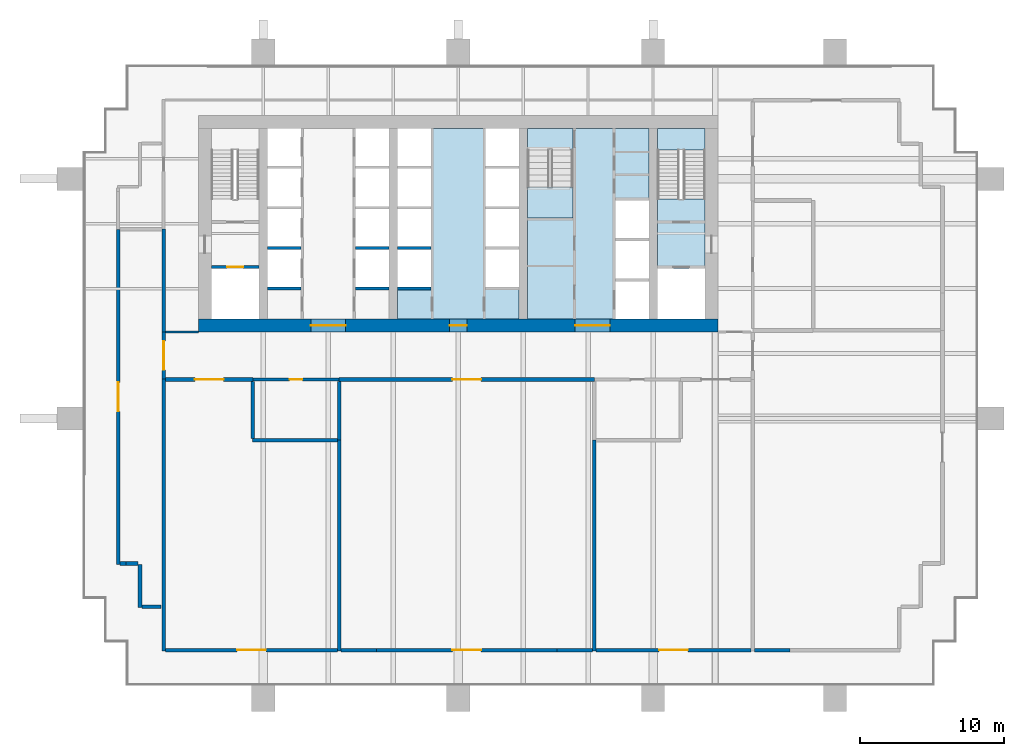
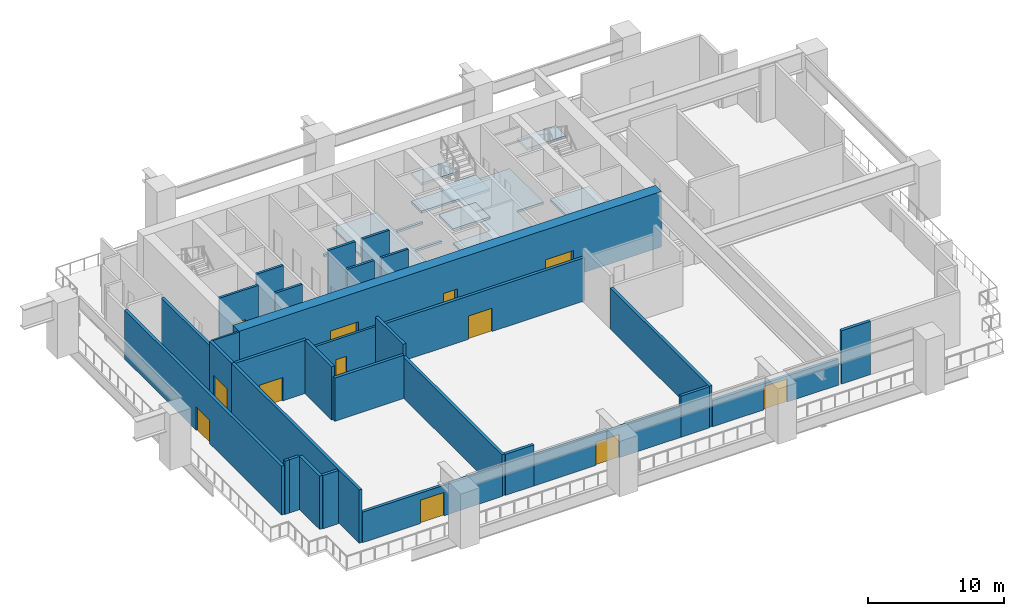
# One storey, part 2 of 9: 31 walls, 12 doors, 7 slabs, 12 openings, 2 elements without a shape of their own.
"""IFC4 building model written with IfcOpenShell, lengths in metres."""

from ifc_helpers import new_model, si_unit, direction, frame, frame_2d, origin, place, context, subcontext, project, spatial, polyline, rectangle, outline, extrude, material, layer, layer_set, type_object, element, fill, aggregate, save


model = new_model("IFC4")

# Units and contexts
model_context = context("Model", 3, precision=1e-05, world=origin(), true_north=direction((0.0, 1.0)))
body_context = subcontext(model_context, "Body", "Model", "MODEL_VIEW")
ifc_project = project(units=[si_unit("LENGTHUNIT", "METRE"), si_unit("AREAUNIT", "SQUARE_METRE"), si_unit("VOLUMEUNIT", "CUBIC_METRE"), si_unit("PLANEANGLEUNIT", "RADIAN"), si_unit("MASSUNIT", "GRAM", prefix="KILO")], contexts=[model_context])

# Site, building, storey
site_placement = place(None, origin())
site = spatial("IfcSite", under=ifc_project, at=site_placement, CompositionType="ELEMENT")
building_placement = place(site_placement, origin())
building = spatial("IfcBuilding", under=site, at=building_placement, Name="Rattan Terrace Tower", CompositionType="ELEMENT")
storey_placement = place(building_placement, frame((0.0, 0.0, 115.699951171875)))
storey = spatial("IfcBuildingStorey", under=building, at=storey_placement, Name="L26", CompositionType="ELEMENT", Elevation=115.699951171875)

# Stair, slab
ifc_material_1 = material(Name="Concrete C40/50", Category="concrete")
stair_type = type_object("IfcStairType", Name="Core exit stair 1500", PredefinedType="HALF_TURN_STAIR", material=ifc_material_1)
stair_1_placement = place(storey_placement, origin())
stair_1 = element("IfcStair", 1, at=stair_1_placement, inside=storey, type_object=stair_type, Name="L26 exit stair 2", PredefinedType="HALF_TURN_STAIR")
ifc_material_2 = material(Name="Concrete C40/50", Category="concrete")
ifc_layer_1 = layer(ifc_material_2, 0.199951171875)
ifc_layer_set_1 = layer_set([ifc_layer_1], Name="Core exit stair landing")
slab_type_1 = type_object("IfcSlabType", Name="Core exit stair landing", PredefinedType="LANDING", material=ifc_layer_set_1)
slab_1_placement = place(storey_placement, frame((0.0, 0.0, 2.300048828125)))
slab_1 = element("IfcSlab", 2, at=slab_1_placement, type_object=slab_type_1, Name="S2 landing 1", PredefinedType="LANDING", context=body_context, shape_type="SweptSolid", body=[
    extrude(outline(polyline([(17.10009765625, 5.080078125), (17.10009765625, 6.60009765625), (13.800048828125, 6.60009765625), (13.800048828125, 5.080078125), (17.10009765625, 5.080078125)])), origin(), (0.0, 0.0, 1.0), 0.199951171875),
])
aggregate(stair_1, [slab_1])

# Stair, slabs
stair_2_placement = place(storey_placement, origin())
stair_2 = element("IfcStair", 3, at=stair_2_placement, inside=storey, type_object=stair_type, Name="L26 exit stair 3", PredefinedType="HALF_TURN_STAIR")
slab_2_placement = place(storey_placement, frame((0.0, 0.0, 1.050048828125)))
slab_2 = element("IfcSlab", 4, at=slab_2_placement, type_object=slab_type_1, Name="S3 landing 1", PredefinedType="LANDING", context=body_context, shape_type="SweptSolid", body=[
    extrude(outline(polyline([(4.800048828125, 2.52001953125), (4.800048828125, 0.39990234375), (7.949951171875, 0.39990234375), (7.949951171875, 2.52001953125), (4.800048828125, 2.52001953125)])), origin(), (0.0, 0.0, 1.0), 0.199951171875),
])
slab_3_placement = place(storey_placement, frame((0.0, 0.0, 2.300048828125)))
slab_3 = element("IfcSlab", 5, at=slab_3_placement, type_object=slab_type_1, Name="S3 landing 2", PredefinedType="LANDING", context=body_context, shape_type="SweptSolid", body=[
    extrude(outline(polyline([(4.800048828125, 6.60009765625), (4.800048828125, 5.10009765625), (7.949951171875, 5.10009765625), (7.949951171875, 6.60009765625), (4.800048828125, 6.60009765625)])), origin(), (0.0, 0.0, 1.0), 0.199951171875),
])
slab_4_placement = place(storey_placement, frame((0.0, 0.0, 3.550048828125)))
slab_4 = element("IfcSlab", 6, at=slab_4_placement, type_object=slab_type_1, Name="S3 landing 3", PredefinedType="LANDING", context=body_context, shape_type="SweptSolid", body=[
    extrude(outline(polyline([(4.800048828125, 2.52001953125), (4.800048828125, 0.39990234375), (7.949951171875, 0.39990234375), (7.949951171875, 2.52001953125), (4.800048828125, 2.52001953125)])), origin(), (0.0, 0.0, 1.0), 0.199951171875),
])
aggregate(stair_2, [slab_2, slab_3, slab_4])

# Slabs
ifc_material_3 = material(Name="Concrete C35/45", Category="concrete")
ifc_layer_2 = layer(ifc_material_3, 0.199951171875)
ifc_layer_set_2 = layer_set([ifc_layer_2], Name="Frame refuge floor slab 200")
slab_type_2 = type_object("IfcSlabType", Name="Frame refuge floor slab 200", PredefinedType="FLOOR", material=ifc_layer_set_2)
slab_5_placement = place(storey_placement, frame((0.0, 0.0, -0.199951171875)))
element("IfcSlab", 7, at=slab_5_placement, inside=storey, type_object=slab_type_2, Name="Floor slab", PredefinedType="FLOOR", context=body_context, shape_type="SweptSolid", body=[
    extrude(outline(polyline([(-4.199951171875, 4.0), (-4.199951171875, 3.800048828125), (-1.89990234375, 3.800048828125), (-1.89990234375, 1.199951171875), (-4.199951171875, 1.199951171875), (-4.199951171875, 1.0), (-1.89990234375, 1.0), (-1.89990234375, -1.60009765625), (-4.199951171875, -1.60009765625), (-4.199951171875, -1.800048828125), (-1.89990234375, -1.800048828125), (-1.89990234375, -4.39990234375), (-4.199951171875, -4.39990234375), (-4.199951171875, -6.60009765625), (4.199951171875, -6.60009765625), (4.199951171875, -4.39990234375), (1.89990234375, -4.39990234375), (1.89990234375, -1.800048828125), (4.199951171875, -1.800048828125), (4.199951171875, -1.60009765625), (1.89990234375, -1.60009765625), (1.89990234375, 1.0), (4.199951171875, 1.0), (4.199951171875, 1.199951171875), (1.89990234375, 1.199951171875), (1.89990234375, 3.800048828125), (4.199951171875, 3.800048828125), (4.199951171875, 4.0), (1.89990234375, 4.0), (1.89990234375, 6.60009765625), (-1.89990234375, 6.60009765625), (-1.89990234375, 4.0), (-4.199951171875, 4.0)])), origin(), (0.0, 0.0, 1.0), 0.199951171875),
])
slab_6_placement = place(storey_placement, frame((0.0, 0.0, -0.199951171875)))
element("IfcSlab", 8, at=slab_6_placement, inside=storey, type_object=slab_type_2, Name="Floor slab", PredefinedType="FLOOR", context=body_context, shape_type="SweptSolid", body=[
    extrude(outline(polyline([(4.800048828125, 5.090087890625), (7.949951171875, 5.090087890625), (7.949951171875, 0.39990234375), (4.800048828125, 0.39990234375), (4.800048828125, -6.60009765625), (10.89990234375, -6.60009765625), (10.89990234375, -4.0), (13.199951171875, -4.0), (13.199951171875, -3.800048828125), (10.89990234375, -3.800048828125), (10.89990234375, -1.199951171875), (13.199951171875, -1.199951171875), (13.199951171875, -1.0), (10.89990234375, -1.0), (10.89990234375, 1.60009765625), (13.199951171875, 1.60009765625), (13.199951171875, 6.60009765625), (4.800048828125, 6.60009765625), (4.800048828125, 5.090087890625)])), origin(), (0.0, 0.0, 1.0), 0.199951171875),
])
slab_7_placement = place(storey_placement, frame((0.0, 0.0, -0.199951171875)))
element("IfcSlab", 9, at=slab_7_placement, inside=storey, type_object=slab_type_2, Name="Floor slab", PredefinedType="FLOOR", context=body_context, shape_type="SweptSolid", body=[
    extrude(outline(polyline([(13.800048828125, -3.10009765625), (17.10009765625, -3.10009765625), (17.10009765625, 1.7099609375), (13.800048828125, 1.7099609375), (13.800048828125, -3.10009765625)])), origin(), (0.0, 0.0, 1.0), 0.199951171875),
])

# Wall, opening, door
ifc_material_4 = material(Name="Gypsum board partition")
ifc_layer_3 = layer(ifc_material_4, 0.199951171875)
ifc_layer_set_3 = layer_set([ifc_layer_3], Name="Core partition 200")
wall_type_1 = type_object("IfcWallType", Name="Core partition 200", PredefinedType="PARTITIONING", material=ifc_layer_set_3)
wall_1_placement = place(storey_placement, frame((-17.10009765625, -3.0, 0.0), z_axis=(0.0, 0.0, 1.0), x_axis=(1.0, 0.0, 0.0)))
wall_1 = element("IfcWall", 10, at=wall_1_placement, inside=storey, type_object=wall_type_1, Name="Fire-fighting lobby wall", PredefinedType="PARTITIONING", context=body_context, shape_type="SweptSolid", body=[
    extrude(rectangle(XDim=3.300048828125, YDim=0.199951171875, at=frame_2d((1.64990234375, 0.0))), origin(), (0.0, 0.0, 1.0), 4.800048828125),
])
opening_1_placement = place(wall_1_placement, frame((1.10009765625, 0.0, 0.0)))
opening_1 = element("IfcOpeningElement", 11, at=opening_1_placement, cuts=wall_1, Name="Opening L26-LD-FF1", PredefinedType="OPENING", context=body_context, shape_type="SweptSolid", body=[
    extrude(rectangle(XDim=1.10009765625, YDim=2.10009765625, at=frame_2d((0.550048828125, 1.050048828125))), frame((0.0, 0.110595703125, 0.0), z_axis=(0.0, -1.0, 0.0), x_axis=(1.0, 0.0, 0.0)), (0.0, 0.0, 1.0), 0.220947265625),
])
ifc_material_5 = material(Name="Brushed stainless landing door panel")
door_type_1 = type_object("IfcDoorType", Name="Core lift landing door 1100", OperationType="DOUBLE_DOOR_SLIDING", PredefinedType="DOOR", material=ifc_material_5)
door_1_placement = place(opening_1_placement, origin())
door_1 = element("IfcDoor", 12, at=door_1_placement, inside=storey, type_object=door_type_1, Name="Door L26-LD-FF1", OperationType="DOUBLE_DOOR_SLIDING", OverallHeight=2.10009765625, OverallWidth=1.10009765625, PredefinedType="DOOR", context=body_context, shape_type="SweptSolid", body=[
    extrude(rectangle(XDim=1.10009765625, YDim=2.10009765625, at=frame_2d((0.550048828125, 1.050048828125))), frame((0.0, 0.02490234375, 0.0), z_axis=(0.0, -1.0, 0.0), x_axis=(1.0, 0.0, 0.0)), (0.0, 0.0, 1.0), 0.050048828125),
])
fill(opening_1, door_1)

# Wall, openings, doors
ifc_material_6 = material(Name="Concrete C70/85", Category="concrete")
ifc_layer_4 = layer(ifc_material_6, 0.89990234375)
ifc_layer_set_4 = layer_set([ifc_layer_4], Name="Core ring wall 900 C70/85")
wall_type_2 = type_object("IfcWallType", Name="Core ring wall 900 C70/85", PredefinedType="SHEAR", material=ifc_layer_set_4)
wall_2_placement = place(storey_placement, frame((-18.0, -7.050048828125, -0.199951171875), z_axis=(0.0, 0.0, 1.0), x_axis=(1.0, 0.0, 0.0)))
wall_2 = element("IfcWall", 13, at=wall_2_placement, inside=storey, type_object=wall_type_2, Name="Rear core wall south", PredefinedType="SHEAR", context=body_context, shape_type="SweptSolid", body=[
    extrude(rectangle(XDim=36.0, YDim=0.89990234375, at=frame_2d((18.0, 0.0))), origin(), (0.0, 0.0, 1.0), 5.0),
])
opening_2_placement = place(wall_2_placement, frame((7.800048828125, 0.0, 0.199951171875)))
opening_2 = element("IfcOpeningElement", 14, at=opening_2_placement, cuts=wall_2, Name="Opening L26-D007", PredefinedType="OPENING", context=body_context, shape_type="SweptSolid", body=[
    extrude(rectangle(XDim=2.39990234375, YDim=2.10009765625, at=frame_2d((1.199951171875, 1.050048828125))), frame((0.0, 0.46044921875, 0.0), z_axis=(0.0, -1.0, 0.0), x_axis=(1.0, 0.0, 0.0)), (0.0, 0.0, 1.0), 0.9208984375),
])
opening_3_placement = place(wall_2_placement, frame((17.39990234375, 0.0, 0.199951171875)))
opening_3 = element("IfcOpeningElement", 15, at=opening_3_placement, cuts=wall_2, Name="Opening L26-D010", PredefinedType="OPENING", context=body_context, shape_type="SweptSolid", body=[
    extrude(rectangle(XDim=1.199951171875, YDim=2.10009765625, at=frame_2d((0.60009765625, 1.050048828125))), frame((0.0, 0.46044921875, 0.0), z_axis=(0.0, -1.0, 0.0), x_axis=(1.0, 0.0, 0.0)), (0.0, 0.0, 1.0), 0.9208984375),
])
opening_4_placement = place(wall_2_placement, frame((26.10009765625, 0.0, 0.199951171875)))
opening_4 = element("IfcOpeningElement", 16, at=opening_4_placement, cuts=wall_2, Name="Opening L26-D014", PredefinedType="OPENING", context=body_context, shape_type="SweptSolid", body=[
    extrude(rectangle(XDim=2.39990234375, YDim=2.10009765625, at=frame_2d((1.199951171875, 1.050048828125))), frame((0.0, 0.46044921875, 0.0), z_axis=(0.0, -1.0, 0.0), x_axis=(1.0, 0.0, 0.0)), (0.0, 0.0, 1.0), 0.9208984375),
])
ifc_material_7 = material(Name="Hollow-metal fire door leaf")
door_type_2 = type_object("IfcDoorType", Name="Core lift lobby door 2400", OperationType="NOTDEFINED", PredefinedType="DOOR", material=ifc_material_7)
door_2_placement = place(opening_2_placement, origin())
door_2 = element("IfcDoor", 17, at=door_2_placement, inside=storey, type_object=door_type_2, Name="Door L26-D007", OperationType="DOUBLE_DOOR_DOUBLE_SWING", OverallHeight=2.10009765625, OverallWidth=2.39990234375, PredefinedType="DOOR", context=body_context, shape_type="SweptSolid", body=[
    extrude(rectangle(XDim=2.39990234375, YDim=2.10009765625, at=frame_2d((1.199951171875, 1.050048828125))), frame((0.0, 0.02490234375, 0.0), z_axis=(0.0, -1.0, 0.0), x_axis=(1.0, 0.0, 0.0)), (0.0, 0.0, 1.0), 0.050048828125),
])
fill(opening_2, door_2)
door_3_placement = place(opening_4_placement, origin())
door_3 = element("IfcDoor", 18, at=door_3_placement, inside=storey, type_object=door_type_2, Name="Door L26-D014", OperationType="DOUBLE_DOOR_DOUBLE_SWING", OverallHeight=2.10009765625, OverallWidth=2.39990234375, PredefinedType="DOOR", context=body_context, shape_type="SweptSolid", body=[
    extrude(rectangle(XDim=2.39990234375, YDim=2.10009765625, at=frame_2d((1.199951171875, 1.050048828125))), frame((0.0, 0.02490234375, 0.0), z_axis=(0.0, -1.0, 0.0), x_axis=(1.0, 0.0, 0.0)), (0.0, 0.0, 1.0), 0.050048828125),
])
fill(opening_4, door_3)
ifc_material_8 = material(Name="Hollow-metal fire door leaf")
door_type_3 = type_object("IfcDoorType", Name="Core riser door 1200", OperationType="NOTDEFINED", PredefinedType="DOOR", material=ifc_material_8)
door_4_placement = place(opening_3_placement, origin())
door_4 = element("IfcDoor", 19, at=door_4_placement, inside=storey, type_object=door_type_3, Name="Door L26-D010", OperationType="SINGLE_SWING_RIGHT", OverallHeight=2.10009765625, OverallWidth=1.199951171875, PredefinedType="DOOR", context=body_context, shape_type="SweptSolid", body=[
    extrude(rectangle(XDim=1.199951171875, YDim=2.10009765625, at=frame_2d((0.60009765625, 1.050048828125))), frame((0.0, 0.02490234375, 0.0), z_axis=(0.0, -1.0, 0.0), x_axis=(1.0, 0.0, 0.0)), (0.0, 0.0, 1.0), 0.050048828125),
])
fill(opening_3, door_4)

# Wall, opening, door
ifc_material_9 = material(Name="Concrete block wall, plastered", Category="concrete")
ifc_layer_5 = layer(ifc_material_9, 0.199951171875)
ifc_layer_set_5 = layer_set([ifc_layer_5], Name="Floors Plant Wall 200")
wall_type_3 = type_object("IfcWallType", Name="Floors Plant Wall 200", PredefinedType="PARTITIONING", material=ifc_layer_set_5)
wall_3_placement = place(storey_placement, frame((-8.2548828125, -10.799072265625, 0.0), z_axis=(0.0, 0.0, 1.0), x_axis=(-1.0, 0.0, 0.0)))
wall_3 = element("IfcWall", 20, at=wall_3_placement, inside=storey, type_object=wall_type_3, Name="pt-L26-004", PredefinedType="PARTITIONING", context=body_context, shape_type="SweptSolid", body=[
    extrude(rectangle(XDim=5.960205078125, YDim=0.199951171875, at=frame_2d((2.97998046875, 0.0))), origin(), (0.0, 0.0, 1.0), 3.900146484375),
])
opening_5_placement = place(wall_3_placement, frame((2.530029296875, 0.0, 0.0)))
opening_5 = element("IfcOpeningElement", 21, at=opening_5_placement, cuts=wall_3, Name="Opening L26-D104", PredefinedType="OPENING", context=body_context, shape_type="SweptSolid", body=[
    extrude(rectangle(XDim=0.89990234375, YDim=2.10009765625, at=frame_2d((0.449951171875, 1.050048828125))), frame((0.0, 0.110595703125, 0.0), z_axis=(0.0, -1.0, 0.0), x_axis=(1.0, 0.0, 0.0)), (0.0, 0.0, 1.0), 0.220947265625),
])
ifc_material_10 = material(Name="Steel fire door set", Category="steel")
door_type_4 = type_object("IfcDoorType", Name="Floors Fire Door FD60 900x2100", OperationType="NOTDEFINED", PredefinedType="DOOR", material=ifc_material_10)
door_5_placement = place(opening_5_placement, origin())
door_5 = element("IfcDoor", 22, at=door_5_placement, inside=storey, type_object=door_type_4, Name="d-L26-104", OperationType="SINGLE_SWING_LEFT", OverallHeight=2.10009765625, OverallWidth=0.89990234375, PredefinedType="DOOR", context=body_context, shape_type="SweptSolid", body=[
    extrude(rectangle(XDim=0.89990234375, YDim=2.10009765625, at=frame_2d((0.449951171875, 1.050048828125))), frame((0.0, 0.02490234375, 0.0), z_axis=(0.0, -1.0, 0.0), x_axis=(1.0, 0.0, 0.0)), (0.0, 0.0, 1.0), 0.050048828125),
])
fill(opening_5, door_5)

ifc_material_11 = material(Name="Reinforced concrete wall, painted", Category="concrete")
ifc_layer_6 = layer(ifc_material_11, 0.25)
ifc_layer_set_6 = layer_set([ifc_layer_6], Name="Floors Refuge Wall 250")
wall_type_4 = type_object("IfcWallType", Name="Floors Refuge Wall 250", PredefinedType="PARTITIONING", material=ifc_layer_set_6)
wall_4_placement = place(storey_placement, frame((-20.40087890625, -10.780029296875, 0.0), z_axis=(0.0, 0.0, 1.0), x_axis=(0.0, 1.0, 0.0)))
wall_4 = element("IfcWall", 23, at=wall_4_placement, inside=storey, type_object=wall_type_4, Name="pt-L26-003", PredefinedType="PARTITIONING", context=body_context, shape_type="SweptSolid", body=[
    extrude(rectangle(XDim=3.280029296875, YDim=0.25, at=frame_2d((1.64013671875, 0.0))), origin(), (0.0, 0.0, 1.0), 4.800048828125),
])
opening_6_placement = place(wall_4_placement, frame((0.639892578125, 0.0, 0.0)))
opening_6 = element("IfcOpeningElement", 24, at=opening_6_placement, cuts=wall_4, Name="Opening L26-D102", PredefinedType="OPENING", context=body_context, shape_type="SweptSolid", body=[
    extrude(rectangle(XDim=2.0, YDim=2.10009765625, at=frame_2d((1.0, 1.050048828125))), frame((0.0, 0.135498046875, 0.0), z_axis=(0.0, -1.0, 0.0), x_axis=(1.0, 0.0, 0.0)), (0.0, 0.0, 1.0), 0.27099609375),
])
ifc_material_12 = material(Name="Steel fire door set", Category="steel")
door_type_5 = type_object("IfcDoorType", Name="Floors Plant Equipment Door Pair FD120 2000x2100", OperationType="NOTDEFINED", PredefinedType="DOOR", material=ifc_material_12)
door_6_placement = place(opening_6_placement, origin())
door_6 = element("IfcDoor", 25, at=door_6_placement, inside=storey, type_object=door_type_5, Name="d-L26-102", OperationType="DOUBLE_DOOR_SINGLE_SWING", OverallHeight=2.10009765625, OverallWidth=2.0, PredefinedType="DOOR", context=body_context, shape_type="SweptSolid", body=[
    extrude(rectangle(XDim=2.0, YDim=2.10009765625, at=frame_2d((1.0, 1.050048828125))), frame((0.0, 0.02490234375, 0.0), z_axis=(0.0, -1.0, 0.0), x_axis=(1.0, 0.0, 0.0)), (0.0, 0.0, 1.0), 0.050048828125),
])
fill(opening_6, door_6)

wall_5_placement = place(storey_placement, frame((-14.215087890625, -10.799072265625, 0.0), z_axis=(0.0, 0.0, 1.0), x_axis=(-1.0, 0.0, 0.0)))
wall_5 = element("IfcWall", 26, at=wall_5_placement, inside=storey, type_object=wall_type_4, Name="pt-L26-005", PredefinedType="PARTITIONING", context=body_context, shape_type="SweptSolid", body=[
    extrude(rectangle(XDim=6.059814453125, YDim=0.25, at=frame_2d((3.02978515625, 0.0))), origin(), (0.0, 0.0, 1.0), 4.800048828125),
])
opening_7_placement = place(wall_5_placement, frame((2.030029296875, 0.0, 0.0)))
opening_7 = element("IfcOpeningElement", 27, at=opening_7_placement, cuts=wall_5, Name="Opening L26-D105", PredefinedType="OPENING", context=body_context, shape_type="SweptSolid", body=[
    extrude(rectangle(XDim=2.0, YDim=2.10009765625, at=frame_2d((1.0, 1.050048828125))), frame((0.0, 0.135498046875, 0.0), z_axis=(0.0, -1.0, 0.0), x_axis=(1.0, 0.0, 0.0)), (0.0, 0.0, 1.0), 0.27099609375),
])
door_7_placement = place(opening_7_placement, origin())
door_7 = element("IfcDoor", 28, at=door_7_placement, inside=storey, type_object=door_type_5, Name="d-L26-105", OperationType="DOUBLE_DOOR_SINGLE_SWING", OverallHeight=2.10009765625, OverallWidth=2.0, PredefinedType="DOOR", context=body_context, shape_type="SweptSolid", body=[
    extrude(rectangle(XDim=2.0, YDim=2.10009765625, at=frame_2d((1.0, 1.050048828125))), frame((0.0, 0.02490234375, 0.0), z_axis=(0.0, -1.0, 0.0), x_axis=(1.0, 0.0, 0.0)), (0.0, 0.0, 1.0), 0.050048828125),
])
fill(opening_7, door_7)

wall_6_placement = place(storey_placement, frame((9.431884765625, -10.800048828125, 0.0), z_axis=(0.0, 0.0, 1.0), x_axis=(-1.0, 0.0, 0.0)))
wall_6 = element("IfcWall", 29, at=wall_6_placement, inside=storey, type_object=wall_type_4, Name="pt-L26-006", PredefinedType="PARTITIONING", context=body_context, shape_type="SweptSolid", body=[
    extrude(rectangle(XDim=17.686767578125, YDim=0.25, at=frame_2d((8.84326171875, 0.0))), origin(), (0.0, 0.0, 1.0), 3.900146484375),
])
opening_8_placement = place(wall_6_placement, frame((7.843994140625, 0.0, 0.0)))
opening_8 = element("IfcOpeningElement", 30, at=opening_8_placement, cuts=wall_6, Name="Opening L26-D107", PredefinedType="OPENING", context=body_context, shape_type="SweptSolid", body=[
    extrude(rectangle(XDim=2.0, YDim=2.10009765625, at=frame_2d((1.0, 1.050048828125))), frame((0.0, 0.135498046875, 0.0), z_axis=(0.0, -1.0, 0.0), x_axis=(1.0, 0.0, 0.0)), (0.0, 0.0, 1.0), 0.27099609375),
])
door_8_placement = place(opening_8_placement, origin())
door_8 = element("IfcDoor", 31, at=door_8_placement, inside=storey, type_object=door_type_5, Name="d-L26-107", OperationType="DOUBLE_DOOR_SINGLE_SWING", OverallHeight=2.10009765625, OverallWidth=2.0, PredefinedType="DOOR", context=body_context, shape_type="SweptSolid", body=[
    extrude(rectangle(XDim=2.0, YDim=2.10009765625, at=frame_2d((1.0, 1.050048828125))), frame((0.0, 0.02490234375, 0.0), z_axis=(0.0, -1.0, 0.0), x_axis=(1.0, 0.0, 0.0)), (0.0, 0.0, 1.0), 0.050048828125),
])
fill(opening_8, door_8)

# Walls
wall_7_placement = place(storey_placement, frame((-20.39990234375, -7.5, 0.0), z_axis=(0.0, 0.0, 1.0), x_axis=(0.0, 1.0, 0.0)))
element("IfcWall", 32, at=wall_7_placement, inside=storey, type_object=wall_type_4, Name="pt-L26-011", PredefinedType="PARTITIONING", context=body_context, shape_type="SweptSolid", body=[
    extrude(rectangle(XDim=7.1201171875, YDim=0.25, at=frame_2d((3.56005859375, 0.0))), origin(), (0.0, 0.0, 1.0), 4.400146484375),
])
wall_8_placement = place(storey_placement, frame((-20.39990234375, -10.780029296875, 0.0), z_axis=(0.0, 0.0, 1.0), x_axis=(0.0, -1.0, 0.0)))
element("IfcWall", 33, at=wall_8_placement, inside=storey, type_object=wall_type_4, Name="pt-L26-021", PredefinedType="PARTITIONING", context=body_context, shape_type="SweptSolid", body=[
    extrude(rectangle(XDim=18.820068359375, YDim=0.25, at=frame_2d((9.41015625, 0.0))), origin(), (0.0, 0.0, 1.0), 4.800048828125),
])
wall_9_placement = place(storey_placement, frame((-22.1640625, -23.5380859375, 0.0), z_axis=(0.0, 0.0, 1.0), x_axis=(-1.0, 0.0, 0.0)))
element("IfcWall", 34, at=wall_9_placement, inside=storey, type_object=wall_type_4, Name="pt-L26-022", PredefinedType="PARTITIONING", context=body_context, shape_type="SweptSolid", body=[
    extrude(rectangle(XDim=0.85595703125, YDim=0.25, at=frame_2d((0.427978515625, 0.0))), origin(), (0.0, 0.0, 1.0), 4.800048828125),
])
wall_10_placement = place(storey_placement, frame((-22.0390625, -26.60009765625, 0.0), z_axis=(0.0, 0.0, 1.0), x_axis=(0.0, 1.0, 0.0)))
element("IfcWall", 35, at=wall_10_placement, inside=storey, type_object=wall_type_4, Name="pt-L26-023", PredefinedType="PARTITIONING", context=body_context, shape_type="SweptSolid", body=[
    extrude(rectangle(XDim=3.0, YDim=0.25, at=frame_2d((1.5, 0.0))), origin(), (0.0, 0.0, 1.0), 4.800048828125),
])
wall_11_placement = place(storey_placement, frame((-20.60009765625, -26.5390625, 0.0), z_axis=(0.0, 0.0, 1.0), x_axis=(-1.0, 0.0, 0.0)))
element("IfcWall", 36, at=wall_11_placement, inside=storey, type_object=wall_type_4, Name="pt-L26-024", PredefinedType="PARTITIONING", context=body_context, shape_type="SweptSolid", body=[
    extrude(rectangle(XDim=1.31396484375, YDim=0.25, at=frame_2d((0.656982421875, 0.0))), origin(), (0.0, 0.0, 1.0), 4.800048828125),
])

# Wall, opening, door
wall_12_placement = place(storey_placement, frame((-23.5380859375, -0.39990234375, 0.0), z_axis=(0.0, 0.0, 1.0), x_axis=(0.0, -1.0, 0.0)))
wall_12 = element("IfcWall", 37, at=wall_12_placement, inside=storey, type_object=wall_type_4, Name="pt-L26-025", PredefinedType="PARTITIONING", context=body_context, shape_type="SweptSolid", body=[
    extrude(rectangle(XDim=23.2001953125, YDim=0.25, at=frame_2d((11.60009765625, 0.0))), origin(), (0.0, 0.0, 1.0), 4.400146484375),
])
opening_9_placement = place(wall_12_placement, frame((10.60009765625, 0.0, 0.0)))
opening_9 = element("IfcOpeningElement", 38, at=opening_9_placement, cuts=wall_12, Name="Opening L26-D103", PredefinedType="OPENING", context=body_context, shape_type="SweptSolid", body=[
    extrude(rectangle(XDim=2.0, YDim=2.10009765625, at=frame_2d((1.0, 1.050048828125))), frame((0.0, 0.135498046875, 0.0), z_axis=(0.0, -1.0, 0.0), x_axis=(1.0, 0.0, 0.0)), (0.0, 0.0, 1.0), 0.27099609375),
])
door_9_placement = place(opening_9_placement, origin())
door_9 = element("IfcDoor", 39, at=door_9_placement, inside=storey, type_object=door_type_5, Name="d-L26-103", OperationType="DOUBLE_DOOR_SINGLE_SWING", OverallHeight=2.10009765625, OverallWidth=2.0, PredefinedType="DOOR", context=body_context, shape_type="SweptSolid", body=[
    extrude(rectangle(XDim=2.0, YDim=2.10009765625, at=frame_2d((1.0, 1.050048828125))), frame((0.0, 0.02490234375, 0.0), z_axis=(0.0, -1.0, 0.0), x_axis=(1.0, 0.0, 0.0)), (0.0, 0.0, 1.0), 0.050048828125),
])
fill(opening_9, door_9)

# Walls
wall_13_placement = place(storey_placement, frame((-23.02001953125, -23.5390625, 0.0), z_axis=(0.0, 0.0, 1.0), x_axis=(-1.0, 0.0, 0.0)))
element("IfcWall", 40, at=wall_13_placement, inside=storey, type_object=wall_type_4, Name="pt-L26-026", PredefinedType="PARTITIONING", context=body_context, shape_type="SweptSolid", body=[
    extrude(rectangle(XDim=0.39306640625, YDim=0.25, at=frame_2d((0.196533203125, 0.0))), origin(), (0.0, 0.0, 1.0), 4.800048828125),
])
wall_14_placement = place(storey_placement, frame((-14.235107421875, -14.8740234375, 0.0), z_axis=(0.0, 0.0, 1.0), x_axis=(0.0, 1.0, 0.0)))
element("IfcWall", 41, at=wall_14_placement, inside=storey, type_object=wall_type_4, Name="pt-L26-027", PredefinedType="PARTITIONING", context=body_context, shape_type="SweptSolid", body=[
    extrude(rectangle(XDim=3.949951171875, YDim=0.25, at=frame_2d((1.97509765625, 0.0))), origin(), (0.0, 0.0, 1.0), 4.800048828125),
])
wall_15_placement = place(storey_placement, frame((-8.360107421875, -14.9990234375, 0.0), z_axis=(0.0, 0.0, 1.0), x_axis=(-1.0, 0.0, 0.0)))
element("IfcWall", 42, at=wall_15_placement, inside=storey, type_object=wall_type_4, Name="pt-L26-028", PredefinedType="PARTITIONING", context=body_context, shape_type="SweptSolid", body=[
    extrude(rectangle(XDim=5.875, YDim=0.25, at=frame_2d((2.9375, 0.0))), origin(), (0.0, 0.0, 1.0), 3.900146484375),
])
wall_16_placement = place(storey_placement, frame((-8.235107421875, -10.925048828125, 0.0), z_axis=(0.0, 0.0, 1.0), x_axis=(0.0, -1.0, 0.0)))
element("IfcWall", 43, at=wall_16_placement, inside=storey, type_object=wall_type_4, Name="pt-L26-029", PredefinedType="PARTITIONING", context=body_context, shape_type="SweptSolid", body=[
    extrude(rectangle(XDim=4.074951171875, YDim=0.25, at=frame_2d((2.03759765625, 0.0))), origin(), (0.0, 0.0, 1.0), 4.800048828125),
])
wall_17_placement = place(storey_placement, frame((-8.235107421875, -15.0, 0.0), z_axis=(0.0, 0.0, 1.0), x_axis=(0.0, -1.0, 0.0)))
element("IfcWall", 44, at=wall_17_placement, inside=storey, type_object=wall_type_4, Name="pt-L26-030", PredefinedType="PARTITIONING", context=body_context, shape_type="SweptSolid", body=[
    extrude(rectangle(XDim=14.60009765625, YDim=0.25, at=frame_2d((7.300048828125, 0.0))), origin(), (0.0, 0.0, 1.0), 3.699951171875),
])

# Wall, opening, door
wall_18_placement = place(storey_placement, frame((-20.27490234375, -29.5390625, 0.0), z_axis=(0.0, 0.0, 1.0), x_axis=(1.0, 0.0, 0.0)))
wall_18 = element("IfcWall", 45, at=wall_18_placement, inside=storey, type_object=wall_type_4, Name="pt-L26-031", PredefinedType="PARTITIONING", context=body_context, shape_type="SweptSolid", body=[
    extrude(rectangle(XDim=11.914794921875, YDim=0.25, at=frame_2d((5.95751953125, 0.0))), origin(), (0.0, 0.0, 1.0), 2.75),
])
opening_10_placement = place(wall_18_placement, frame((4.95703125, 0.0, 0.0)))
opening_10 = element("IfcOpeningElement", 46, at=opening_10_placement, cuts=wall_18, Name="Opening L26-D106", PredefinedType="OPENING", context=body_context, shape_type="SweptSolid", body=[
    extrude(rectangle(XDim=2.0, YDim=2.10009765625, at=frame_2d((1.0, 1.050048828125))), frame((0.0, 0.135498046875, 0.0), z_axis=(0.0, -1.0, 0.0), x_axis=(1.0, 0.0, 0.0)), (0.0, 0.0, 1.0), 0.27099609375),
])
door_10_placement = place(opening_10_placement, origin())
door_10 = element("IfcDoor", 47, at=door_10_placement, inside=storey, type_object=door_type_5, Name="d-L26-106", OperationType="DOUBLE_DOOR_SINGLE_SWING", OverallHeight=2.10009765625, OverallWidth=2.0, PredefinedType="DOOR", context=body_context, shape_type="SweptSolid", body=[
    extrude(rectangle(XDim=2.0, YDim=2.10009765625, at=frame_2d((1.0, 1.050048828125))), frame((0.0, 0.02490234375, 0.0), z_axis=(0.0, -1.0, 0.0), x_axis=(1.0, 0.0, 0.0)), (0.0, 0.0, 1.0), 0.050048828125),
])
fill(opening_10, door_10)

# Walls
wall_19_placement = place(storey_placement, frame((9.412109375, -14.97998046875, 0.0), z_axis=(0.0, 0.0, 1.0), x_axis=(0.0, -1.0, 0.0)))
element("IfcWall", 48, at=wall_19_placement, inside=storey, type_object=wall_type_4, Name="pt-L26-033", PredefinedType="PARTITIONING", context=body_context, shape_type="SweptSolid", body=[
    extrude(rectangle(XDim=14.6201171875, YDim=0.25, at=frame_2d((7.31005859375, 0.0))), origin(), (0.0, 0.0, 1.0), 3.699951171875),
])
for number, where, z_axis, x_axis, name in (
    (49, (9.287109375, -29.5390625, 0.0), (0.0, 0.0, 1.0), (-1.0, 0.0, 0.0), "pt-L26-034"),
    (50, (-5.655029296875, -29.5390625, 0.0), (0.0, 0.0, 1.0), (-1.0, 0.0, 0.0), "pt-L26-035"),
):
    element("IfcWall", number, at=place(storey_placement, frame(where, z_axis=z_axis, x_axis=x_axis)), inside=storey, type_object=wall_type_4, Name=name, PredefinedType="PARTITIONING", context=body_context, shape_type="SweptSolid", body=[
        extrude(rectangle(XDim=2.455078125, YDim=0.25, at=frame_2d((1.2275390625, 0.0))), origin(), (0.0, 0.0, 1.0), 3.699951171875),
    ])

# Wall, opening, door
wall_20_placement = place(storey_placement, frame((-5.655029296875, -29.5390625, 0.0), z_axis=(0.0, 0.0, 1.0), x_axis=(1.0, 0.0, 0.0)))
wall_20 = element("IfcWall", 51, at=wall_20_placement, inside=storey, type_object=wall_type_4, Name="pt-L26-036", PredefinedType="PARTITIONING", context=body_context, shape_type="SweptSolid", body=[
    extrude(rectangle(XDim=12.487060546875, YDim=0.25, at=frame_2d((6.24365234375, 0.0))), origin(), (0.0, 0.0, 1.0), 2.75),
])
opening_11_placement = place(wall_20_placement, frame((5.243896484375, 0.0, 0.0)))
opening_11 = element("IfcOpeningElement", 52, at=opening_11_placement, cuts=wall_20, Name="Opening L26-D108", PredefinedType="OPENING", context=body_context, shape_type="SweptSolid", body=[
    extrude(rectangle(XDim=2.0, YDim=2.10009765625, at=frame_2d((1.0, 1.050048828125))), frame((0.0, 0.135498046875, 0.0), z_axis=(0.0, -1.0, 0.0), x_axis=(1.0, 0.0, 0.0)), (0.0, 0.0, 1.0), 0.27099609375),
])
door_11_placement = place(opening_11_placement, origin())
door_11 = element("IfcDoor", 53, at=door_11_placement, inside=storey, type_object=door_type_5, Name="d-L26-108", OperationType="DOUBLE_DOOR_SINGLE_SWING", OverallHeight=2.10009765625, OverallWidth=2.0, PredefinedType="DOOR", context=body_context, shape_type="SweptSolid", body=[
    extrude(rectangle(XDim=2.0, YDim=2.10009765625, at=frame_2d((1.0, 1.050048828125))), frame((0.0, 0.02490234375, 0.0), z_axis=(0.0, -1.0, 0.0), x_axis=(1.0, 0.0, 0.0)), (0.0, 0.0, 1.0), 0.050048828125),
])
fill(opening_11, door_11)

wall_21_placement = place(storey_placement, frame((9.537109375, -29.5390625, 0.0), z_axis=(0.0, 0.0, 1.0), x_axis=(1.0, 0.0, 0.0)))
wall_21 = element("IfcWall", 54, at=wall_21_placement, inside=storey, type_object=wall_type_4, Name="pt-L26-040", PredefinedType="PARTITIONING", context=body_context, shape_type="SweptSolid", body=[
    extrude(rectangle(XDim=10.73779296875, YDim=0.25, at=frame_2d((5.368896484375, 0.0))), origin(), (0.0, 0.0, 1.0), 2.35009765625),
])
opening_12_placement = place(wall_21_placement, frame((4.368896484375, 0.0, 0.0)))
opening_12 = element("IfcOpeningElement", 55, at=opening_12_placement, cuts=wall_21, Name="Opening L26-D111", PredefinedType="OPENING", context=body_context, shape_type="SweptSolid", body=[
    extrude(rectangle(XDim=2.0, YDim=2.10009765625, at=frame_2d((1.0, 1.050048828125))), frame((0.0, 0.135498046875, 0.0), z_axis=(0.0, -1.0, 0.0), x_axis=(1.0, 0.0, 0.0)), (0.0, 0.0, 1.0), 0.27099609375),
])
door_12_placement = place(opening_12_placement, origin())
door_12 = element("IfcDoor", 56, at=door_12_placement, inside=storey, type_object=door_type_5, Name="d-L26-111", OperationType="DOUBLE_DOOR_SINGLE_SWING", OverallHeight=2.10009765625, OverallWidth=2.0, PredefinedType="DOOR", context=body_context, shape_type="SweptSolid", body=[
    extrude(rectangle(XDim=2.0, YDim=2.10009765625, at=frame_2d((1.0, 1.050048828125))), frame((0.0, 0.02490234375, 0.0), z_axis=(0.0, -1.0, 0.0), x_axis=(1.0, 0.0, 0.0)), (0.0, 0.0, 1.0), 0.050048828125),
])
fill(opening_12, door_12)

# Walls
wall_22_placement = place(storey_placement, frame((22.97998046875, -29.5390625, 0.0), z_axis=(0.0, 0.0, 1.0), x_axis=(-1.0, 0.0, 0.0)))
element("IfcWall", 57, at=wall_22_placement, inside=storey, type_object=wall_type_4, Name="pt-L26-043", PredefinedType="PARTITIONING", context=body_context, shape_type="SweptSolid", body=[
    extrude(rectangle(XDim=2.455078125, YDim=0.25, at=frame_2d((1.2275390625, 0.0))), origin(), (0.0, 0.0, 1.0), 4.800048828125),
])
ifc_material_13 = material(Name="Gypsum board partition on steel studs, fire rated", Category="steel")
ifc_layer_7 = layer(ifc_material_13, 0.14990234375)
ifc_layer_set_7 = layer_set([ifc_layer_7], Name="Floors Tenancy Wall 150")
wall_type_5 = type_object("IfcWallType", Name="Floors Tenancy Wall 150", PredefinedType="PARTITIONING", material=ifc_layer_set_7)
wall_23_placement = place(storey_placement, frame((-20.27490234375, -7.5, 0.0), z_axis=(0.0, 0.0, 1.0), x_axis=(1.0, 0.0, 0.0)))
element("IfcWall", 58, at=wall_23_placement, inside=storey, type_object=wall_type_5, Name="pt-L26-001", PredefinedType="PARTITIONING", context=body_context, shape_type="SweptSolid", body=[
    extrude(rectangle(XDim=2.294921875, YDim=0.14990234375, at=frame_2d((1.1474609375, 0.0))), origin(), (0.0, 0.0, 1.0), 4.800048828125),
])
ifc_material_14 = material(Name="Gypsum shaft wall system")
ifc_layer_8 = layer(ifc_material_14, 0.199951171875)
ifc_layer_set_8 = layer_set([ifc_layer_8], Name="Lift shaft wall 200")
wall_type_6 = type_object("IfcWallType", Name="Lift shaft wall 200", PredefinedType="PARTITIONING", material=ifc_layer_set_8)
for number, where, z_axis, x_axis, name in (
    (59, (-13.199951171875, -1.699951171875, 0.0), (0.0, 0.0, 1.0), (1.0, 0.0, 0.0), "Lift shaft wall"),
    (60, (-13.199951171875, -4.5, 0.0), (0.0, 0.0, 1.0), (1.0, 0.0, 0.0), "Lift shaft wall"),
    (61, (-7.10009765625, -1.699951171875, 0.0), (0.0, 0.0, 1.0), (1.0, 0.0, 0.0), "Lift shaft wall"),
    (62, (-7.10009765625, -4.5, 0.0), (0.0, 0.0, 1.0), (1.0, 0.0, 0.0), "Lift shaft wall"),
    (63, (-4.199951171875, -1.699951171875, 0.0), (0.0, 0.0, 1.0), (1.0, 0.0, 0.0), "Lift shaft wall"),
    (64, (-4.199951171875, -4.5, 0.0), (0.0, 0.0, 1.0), (1.0, 0.0, 0.0), "Lift shaft wall"),
):
    element("IfcWall", number, at=place(storey_placement, frame(where, z_axis=z_axis, x_axis=x_axis)), inside=storey, type_object=wall_type_6, Name=name, PredefinedType="PARTITIONING", context=body_context, shape_type="SweptSolid", body=[
        extrude(rectangle(XDim=2.300048828125, YDim=0.199951171875, at=frame_2d((1.14990234375, 0.0))), origin(), (0.0, 0.0, 1.0), 4.800048828125),
    ])

save(model, "model.ifc")
